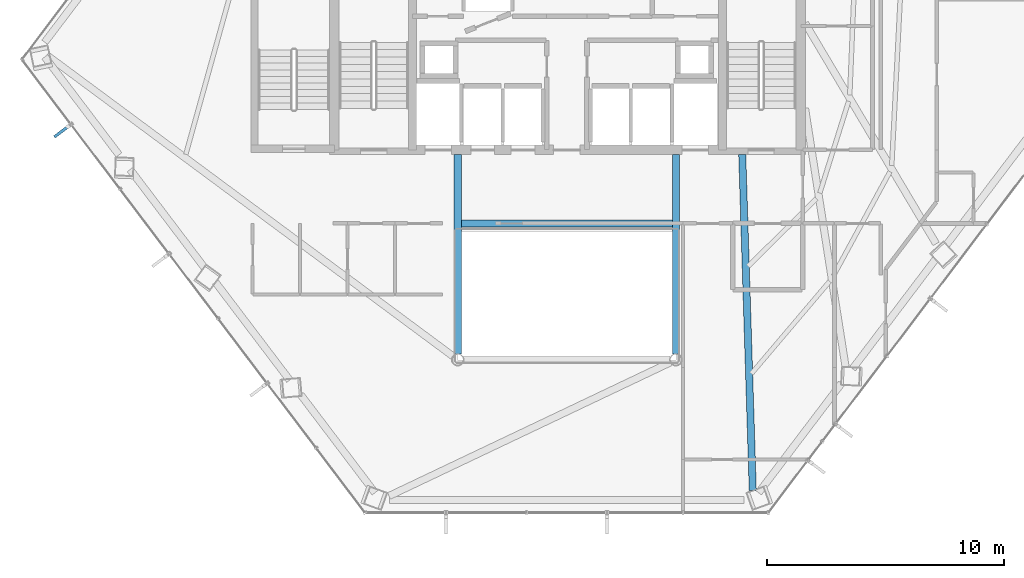
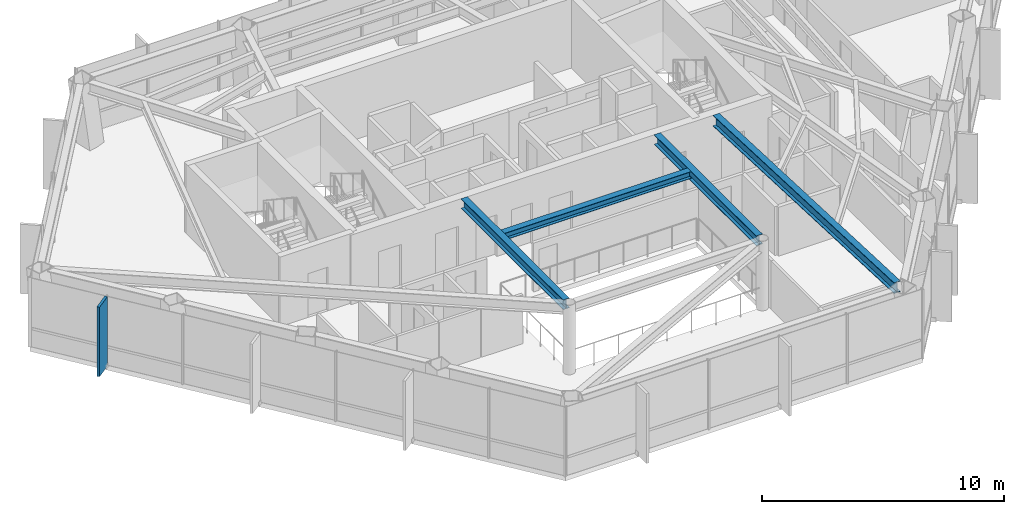
# One storey, part 9 of 29: 4 beams, 1 member, 1 element without a shape of its own.
"""IFC4 building model written with IfcOpenShell, lengths in metres."""

import ifcopenshell
import ifcopenshell.guid

model = None  # the IFC model being written
_history = None  # IfcOwnerHistory: only IFC2X3 demands one
_inside = {}  # id of a spatial element -> (the spatial element, [elements in it])
_under = {}  # id of a project, library or spatial element -> (it, [spatial elements below it])
_declared = {}  # id of a project -> (the project, [libraries it declares])
_typed = {}  # id of a type object -> (the type object, [elements of that type])
_made_of = {}  # id of a material, layer set ... -> (it, [elements and type objects made of it])


def new_model(schema):
    """Start an empty IFC model of exactly this schema.

    Asked for "IFC4X3", IfcOpenShell would pick the latest addendum, in which some entities
    have other attributes; the version numbers below select the first issue.
    IFC2X3 requires an IfcOwnerHistory on every rooted entity: one is made here for all.
    """
    global model, _history
    if schema == "IFC4X3":
        model = ifcopenshell.file(schema_version=(4, 3, 0, 0))
    else:
        model = ifcopenshell.file(schema=schema)
    _inside.clear()
    _under.clear()
    _declared.clear()
    _typed.clear()
    _made_of.clear()
    _history = None
    if model.schema == "IFC2X3":
        org = make("IfcOrganization", Name="unknown")
        user = make(
            "IfcPersonAndOrganization",
            ThePerson=make("IfcPerson", FamilyName="unknown"),
            TheOrganization=org,
        )
        app = make(
            "IfcApplication",
            ApplicationDeveloper=org,
            Version="unknown",
            ApplicationFullName="unknown",
            ApplicationIdentifier="unknown",
        )
        _history = make(
            "IfcOwnerHistory",
            OwningUser=user,
            OwningApplication=app,
            ChangeAction="ADDED",
            CreationDate=0,
        )
    return model


def make(cls, **values):
    """One entity of the class cls with the attributes given. An attribute that is None is left unset."""
    return model.create_entity(
        cls, **{name: value for name, value in values.items() if value is not None}
    )


def rooted(cls, **values):
    """An entity with a GlobalId (a new one), such as an element, a storey or a relation."""
    return make(cls, GlobalId=ifcopenshell.guid.new(), OwnerHistory=_history, **values)


def si_unit(unit_type, name, prefix=None):
    """IfcSIUnit, for example si_unit("LENGTHUNIT", "METRE", prefix="MILLI")."""
    return make("IfcSIUnit", UnitType=unit_type, Prefix=prefix, Name=name)


def assignment(units):
    """IfcUnitAssignment: the units of a project."""
    return None if units is None else make("IfcUnitAssignment", Units=units)


def point(xyz):
    """IfcCartesianPoint."""
    return None if xyz is None else make("IfcCartesianPoint", Coordinates=xyz)


def direction(xyz):
    """IfcDirection."""
    return None if xyz is None else make("IfcDirection", DirectionRatios=xyz)


def frame(location, z_axis=None, x_axis=None):
    """IfcAxis2Placement3D, a coordinate frame: its origin and axes. An axis left out is left unset."""
    return make(
        "IfcAxis2Placement3D",
        Location=point(location),
        Axis=direction(z_axis),
        RefDirection=direction(x_axis),
    )


def frame_2d(location, x_axis=None):
    """IfcAxis2Placement2D, a coordinate frame in the plane: its origin and x axis."""
    return make(
        "IfcAxis2Placement2D", Location=point(location), RefDirection=direction(x_axis)
    )


def origin():
    """The frame at (0, 0, 0) with its axes left unset."""
    return frame((0.0, 0.0, 0.0))


def origin_2d():
    """The frame at (0, 0) in the plane with its x axis left unset."""
    return frame_2d((0.0, 0.0))


def place(relative_to, where):
    """IfcLocalPlacement: puts the frame where relative to a parent placement (None: the world)."""
    return make(
        "IfcLocalPlacement", PlacementRelTo=relative_to, RelativePlacement=where
    )


def context(
    kind, dimensions, precision=None, world=None, true_north=None, identifier=None
):
    """IfcGeometricRepresentationContext, for example the 3D "Model" context."""
    return make(
        "IfcGeometricRepresentationContext",
        ContextIdentifier=identifier,
        ContextType=kind,
        CoordinateSpaceDimension=dimensions,
        Precision=precision,
        WorldCoordinateSystem=world,
        TrueNorth=true_north,
    )


def subcontext(parent, identifier, kind, view, scale=None):
    """IfcGeometricRepresentationSubContext, for example "Body" below "Model"."""
    return make(
        "IfcGeometricRepresentationSubContext",
        ContextIdentifier=identifier,
        ContextType=kind,
        ParentContext=parent,
        TargetScale=scale,
        TargetView=view,
    )


def project(units=None, contexts=None):
    """IfcProject with its units and contexts."""
    return rooted(
        "IfcProject",
        Name="project",
        RepresentationContexts=contexts,
        UnitsInContext=assignment(units),
    )


def spatial(cls, under=None, at=None, **own):
    """A site, building, storey or space (cls), placed at a placement, below another one or the project."""
    s = rooted(cls, ObjectPlacement=at, **own)
    if under is not None:
        _under.setdefault(under.id(), (under, []))[1].append(s)
    return s


def profile(cls, at=None, kind="AREA", **sizes):
    """A parametric profile (cls). Its sizes go by their IFC names, for example OverallWidth=200.0."""
    return make(cls, ProfileType=kind, Position=at, **sizes)


def rectangle(**sizes):
    """IfcRectangleProfileDef."""
    return profile("IfcRectangleProfileDef", **sizes)


def i_section(**sizes):
    """IfcIShapeProfileDef."""
    return profile("IfcIShapeProfileDef", **sizes)


def extrude(swept, where, along, depth):
    """IfcExtrudedAreaSolid: the profile swept, set in the frame where, extruded along a direction by depth."""
    return make(
        "IfcExtrudedAreaSolid",
        SweptArea=swept,
        Position=where,
        ExtrudedDirection=direction(along),
        Depth=depth,
    )


def shape(context_of_items, identifier, shape_type, items):
    """IfcShapeRepresentation: the items that make up one representation, for example the "Body"."""
    return make(
        "IfcShapeRepresentation",
        ContextOfItems=context_of_items,
        RepresentationIdentifier=identifier,
        RepresentationType=shape_type,
        Items=items,
    )


def material(Name=None, Category=None):
    """IfcMaterial."""
    return make("IfcMaterial", Name=Name, Category=Category)


def layer(
    of_material, thickness, ventilated=None, Name=None, Category=None, Priority=None
):
    """IfcMaterialLayer: one layer of a wall or slab, of a material (None: an air gap)."""
    return make(
        "IfcMaterialLayer",
        Material=of_material,
        LayerThickness=thickness,
        IsVentilated=ventilated,
        Name=Name,
        Category=Category,
        Priority=Priority,
    )


def layer_set(layers, Name=None):
    """IfcMaterialLayerSet."""
    return make("IfcMaterialLayerSet", MaterialLayers=layers, LayerSetName=Name)


def material_profile(
    of_material, cross_section, Name=None, Category=None, Priority=None
):
    """IfcMaterialProfile: a cross section and its material."""
    return make(
        "IfcMaterialProfile",
        Name=Name,
        Material=of_material,
        Profile=cross_section,
        Priority=Priority,
        Category=Category,
    )


def profile_set(profiles, Name=None, composite=None):
    """IfcMaterialProfileSet."""
    return make(
        "IfcMaterialProfileSet",
        Name=Name,
        MaterialProfiles=profiles,
        CompositeProfile=composite,
    )


def made_of(thing, what):
    """Note that an element or type object is made of a material, layer set ...; save() writes the relation."""
    if what is not None:
        _made_of.setdefault(what.id(), (what, []))[1].append(thing)
    return thing


def type_object(cls, material=None, **own):
    """A type object (cls), such as IfcWallType, which elements share."""
    return made_of(rooted(cls, **own), material)


def element(
    cls,
    number,
    at=None,
    inside=None,
    cuts=None,
    type_object=None,
    material=None,
    context=None,
    identifier="Body",
    shape_type=None,
    held_by="IfcProductDefinitionShape",
    body=None,
    shapes=None,
    **own,
):
    """One element of the class cls, such as IfcWall. Its Tag is "e" and its number.

    at: its placement. inside: the storey or other place that contains it. cuts: it is an
    opening in that element (IfcRelVoidsElement). A single representation is given by context,
    identifier, shape_type and body (its items); several are given by shapes. held_by: the class
    of the entity that holds the representations. save() writes the other relations.
    """
    e = rooted(cls, Tag="e%d" % number, ObjectPlacement=at, **own)
    if body is not None:
        shapes = [shape(context, identifier, shape_type, body)]
    if shapes is not None:
        e.Representation = make(held_by, Representations=shapes)
    if inside is not None:
        _inside.setdefault(inside.id(), (inside, []))[1].append(e)
    if cuts is not None:
        rooted(
            "IfcRelVoidsElement", RelatingBuildingElement=cuts, RelatedOpeningElement=e
        )
    if type_object is not None:
        _typed.setdefault(type_object.id(), (type_object, []))[1].append(e)
    return made_of(e, material)


def aggregate(whole, parts):
    """IfcRelAggregates: a whole, such as a stair, and the parts it consists of."""
    return rooted("IfcRelAggregates", RelatingObject=whole, RelatedObjects=parts)


def save(model, path):
    """Write the relations noted so far, then the file.

    IfcRelAggregates (storeys below a building ...), IfcRelContainedInSpatialStructure (elements
    in a storey), IfcRelDefinesByType, IfcRelAssociatesMaterial and IfcRelDeclares: one each for
    every whole, place, type object, material and project.
    """
    for whole, parts in _under.values():
        aggregate(whole, parts)
    for where, things in _inside.values():
        rooted(
            "IfcRelContainedInSpatialStructure",
            RelatedElements=things,
            RelatingStructure=where,
        )
    for kind, things in _typed.values():
        rooted("IfcRelDefinesByType", RelatedObjects=things, RelatingType=kind)
    for what, things in _made_of.values():
        rooted("IfcRelAssociatesMaterial", RelatedObjects=things, RelatingMaterial=what)
    for by, libraries in _declared.values():
        rooted("IfcRelDeclares", RelatingContext=by, RelatedDefinitions=libraries)
    model.write(path)


model = new_model("IFC4")

# Units and contexts
model_context = context("Model", 3, precision=1e-05, world=origin(), true_north=direction((0.0, 1.0)))
body_context = subcontext(model_context, "Body", "Model", "MODEL_VIEW")
ifc_project = project(units=[si_unit("LENGTHUNIT", "METRE"), si_unit("AREAUNIT", "SQUARE_METRE"), si_unit("VOLUMEUNIT", "CUBIC_METRE"), si_unit("PLANEANGLEUNIT", "RADIAN"), si_unit("MASSUNIT", "GRAM", prefix="KILO")], contexts=[model_context])

# Site, building, storey
site_placement = place(None, origin())
site = spatial("IfcSite", under=ifc_project, at=site_placement, CompositionType="ELEMENT")
building_placement = place(site_placement, origin())
building = spatial("IfcBuilding", under=site, at=building_placement, Name="Zarrinselat Tower", CompositionType="ELEMENT")
storey_placement = place(building_placement, frame((0.0, 0.0, 142.1201171875)))
storey = spatial("IfcBuildingStorey", under=building, at=storey_placement, Name="L34", CompositionType="ELEMENT", Elevation=142.1201171875)

# Beams
ifc_material_1 = material(Name="Steel S355J2", Category="steel")
ifc_material_profile_1 = material_profile(ifc_material_1, i_section(OverallWidth=0.300048828125, OverallDepth=0.35009765625, WebThickness=0.010009765625, FlangeThickness=0.017578125, at=origin_2d()), Name="HEA 360")
ifc_profile_set_1 = profile_set([ifc_material_profile_1], Name="Steel S355J2")
beam_type_1 = type_object("IfcBeamType", Name="BM-HEA360", PredefinedType="LINTEL", material=ifc_profile_set_1)
beam_1_placement = place(storey_placement, frame((33.93994140625, 30.14990234375, 3.324951171875), z_axis=(1.0, 0.0, 0.0), x_axis=(0.0, 1.0, 0.0)))
element("IfcBeam", 1, at=beam_1_placement, inside=storey, type_object=beam_type_1, Name="L34 Lift Lobby Ceiling Beam", PredefinedType="LINTEL", context=body_context, shape_type="SweptSolid", body=[
    extrude(i_section(OverallWidth=0.300048828125, OverallDepth=0.35009765625, WebThickness=0.010009765625, FlangeThickness=0.017578125, at=origin_2d()), origin(), (0.0, 0.0, 1.0), 8.920166015625),
])
ifc_material_2 = material(Name="Steel S355J2", Category="steel")
ifc_material_profile_2 = material_profile(ifc_material_2, i_section(OverallWidth=0.300048828125, OverallDepth=0.5, WebThickness=0.014404296875, FlangeThickness=0.028076171875, at=origin_2d()), Name="HEB 500")
ifc_profile_set_2 = profile_set([ifc_material_profile_2], Name="Steel S355J2")
beam_type_2 = type_object("IfcBeamType", Name="BM-HEB500", PredefinedType="BEAM", material=ifc_profile_set_2)
for number, where, z_axis, x_axis, name in (
    (2, (33.800048828125, 24.639892578125, 3.25), (0.0, 1.0, 0.0), (-1.0, 0.0, 0.0), "L34 Atrium Edge Beam W"),
    (3, (43.0, 24.639892578125, 3.25), (0.0, 1.0, 0.0), (-1.0, 0.0, 0.0), "L34 Atrium Edge Beam E"),
):
    element("IfcBeam", number, at=place(storey_placement, frame(where, z_axis=z_axis, x_axis=x_axis)), inside=storey, type_object=beam_type_2, Name=name, PredefinedType="BEAM", context=body_context, shape_type="SweptSolid", body=[
        extrude(i_section(OverallWidth=0.300048828125, OverallDepth=0.5, WebThickness=0.014404296875, FlangeThickness=0.028076171875, at=origin_2d()), origin(), (0.0, 0.0, 1.0), 8.420166015625),
    ])
ifc_material_3 = material(Name="Steel S355J2", Category="steel")
ifc_material_profile_3 = material_profile(ifc_material_3, i_section(OverallWidth=0.300048828125, OverallDepth=0.550048828125, WebThickness=0.014892578125, FlangeThickness=0.029052734375, at=origin_2d()), Name="HEB 550")
ifc_profile_set_3 = profile_set([ifc_material_profile_3], Name="Steel S355J2")
beam_type_3 = type_object("IfcBeamType", Name="BM-HEB550", PredefinedType="BEAM", material=ifc_profile_set_3)
beam_2_placement = place(storey_placement, frame((45.800048828125, 33.06005859375, 3.224853515625), z_axis=(0.031361572073, -0.999508104918, 0.0), x_axis=(0.999508104918, 0.031361572073, 0.0)))
element("IfcBeam", 4, at=beam_2_placement, inside=storey, type_object=beam_type_3, Name="L34 Radial Primary Girder RG11", PredefinedType="BEAM", context=body_context, shape_type="SweptSolid", body=[
    extrude(i_section(OverallWidth=0.300048828125, OverallDepth=0.550048828125, WebThickness=0.014892578125, FlangeThickness=0.029052734375, at=origin_2d()), origin(), (0.0, 0.0, 1.0), 14.183837890625),
])

# Curtain wall, member
ifc_material_4 = material(Name="Extruded Aluminium Alloy EN AW-6063 T6", Category="aluminium")
ifc_layer = layer(ifc_material_4, 0.175048828125)
ifc_layer_set = layer_set([ifc_layer], Name="Extruded Aluminium Alloy EN AW-6063 T6")
curtain_wall_type = type_object("IfcCurtainWallType", Name="CWS-HTL", PredefinedType="NOTDEFINED", material=ifc_layer_set)
curtain_wall_placement = place(storey_placement, origin())
curtain_wall = element("IfcCurtainWall", 5, at=curtain_wall_placement, inside=storey, type_object=curtain_wall_type, Name="L34 Unitised Curtain Wall CW-L34-E03", PredefinedType="NOTDEFINED")
ifc_material_5 = material(Name="Honed Cream Travertine Stone", Category="masonry")
ifc_material_profile_4 = material_profile(ifc_material_5, rectangle(XDim=0.1201171875, YDim=0.85009765625, at=origin_2d()), Name="FIN 850x120")
ifc_profile_set_4 = profile_set([ifc_material_profile_4], Name="Honed Cream Travertine Stone")
member_type = type_object("IfcMemberType", Name="MEM-STONE-FIN", PredefinedType="USERDEFINED", material=ifc_profile_set_4)
member_placement = place(storey_placement, frame((17.12451171875, 34.052001953125, 0.0), z_axis=(0.0, 0.0, 1.0), x_axis=(-0.603855520216, 0.797093790407, 0.0)))
member = element("IfcMember", 6, at=member_placement, type_object=member_type, Name="L34 Stone Shading Fin CW-L34-E03-01", ObjectType="FIN", PredefinedType="USERDEFINED", context=body_context, shape_type="SweptSolid", body=[
    extrude(rectangle(XDim=0.1201171875, YDim=0.85009765625, at=origin_2d()), origin(), (0.0, 0.0, 1.0), 3.5),
])
aggregate(curtain_wall, [member])

save(model, "model.ifc")
